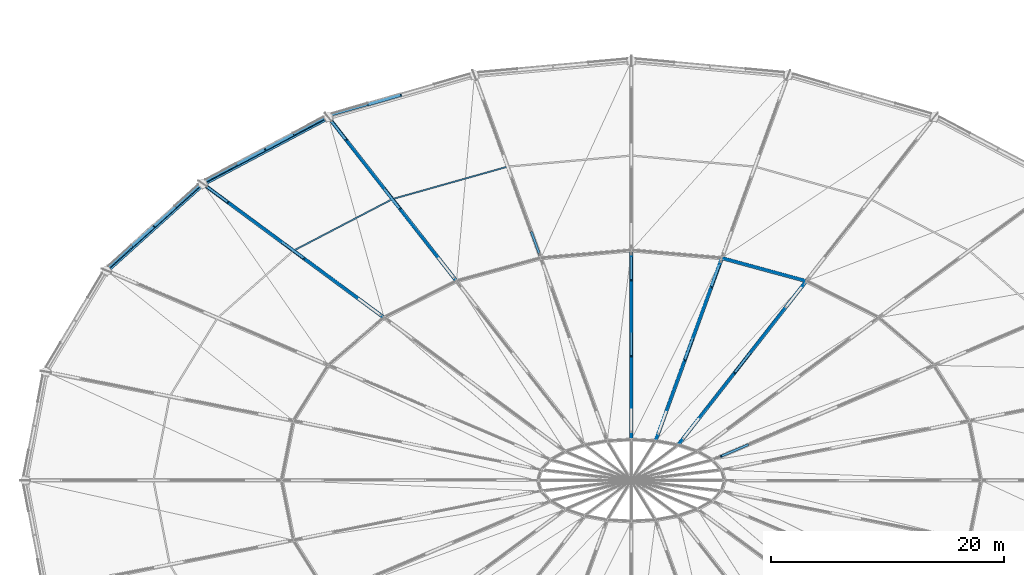
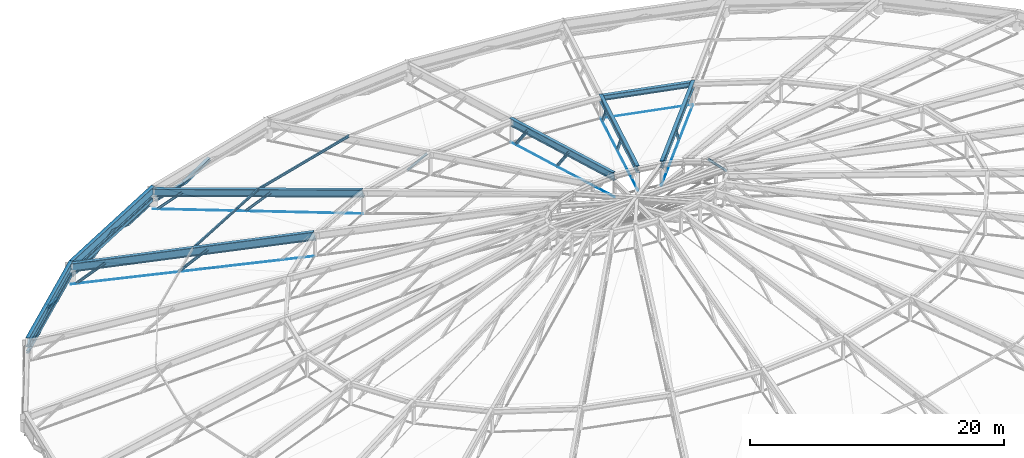
# One storey, part 19 of 83: 20 beams, 19 members.
"""IFC4 building model written with IfcOpenShell, lengths in metres."""

from ifc_helpers import new_model, si_unit, direction, frame, origin, origin_2d, place, context, subcontext, project, spatial, hollow_rectangle, circle, i_section, extrude, material, material_profile, profile_set, type_object, element, save


model = new_model("IFC4")

# Units and contexts
model_context = context("Model", 3, precision=1e-05, world=origin(), true_north=direction((0.0, 1.0)))
body_context = subcontext(model_context, "Body", "Model", "MODEL_VIEW")
ifc_project = project(units=[si_unit("LENGTHUNIT", "METRE"), si_unit("AREAUNIT", "SQUARE_METRE"), si_unit("VOLUMEUNIT", "CUBIC_METRE"), si_unit("PLANEANGLEUNIT", "RADIAN"), si_unit("MASSUNIT", "GRAM", prefix="KILO")], contexts=[model_context])

# Site, building, storey
site_placement = place(None, origin())
site = spatial("IfcSite", under=ifc_project, at=site_placement, CompositionType="ELEMENT")
building_placement = place(site_placement, origin())
building = spatial("IfcBuilding", under=site, at=building_placement, Name="Kivolera Central Railway Station", CompositionType="ELEMENT")
storey_placement = place(building_placement, frame((0.0, 0.0, 14.39990234375)))
storey = spatial("IfcBuildingStorey", under=building, at=storey_placement, Name="L03", CompositionType="ELEMENT", Elevation=14.39990234375)

# Beams
ifc_material_1 = material(Name="Steel S355", Category="steel")
ifc_material_profile_1 = material_profile(ifc_material_1, hollow_rectangle(XDim=0.14990234375, YDim=0.300048828125, WallThickness=0.012451171875, at=origin_2d()), Name="RHS 300x150x12.5")
ifc_profile_set_1 = profile_set([ifc_material_profile_1], Name="Steel S355")
beam_type_1 = type_object("IfcBeamType", Name="BM-ARCH-HOOD", PredefinedType="SPANDREL", material=ifc_profile_set_1)
beam_1_placement = place(storey_placement, frame((37.7548828125, 120.882080078125, 0.735107421875), z_axis=(-0.883122599964, -0.46914227419, 0.0), x_axis=(0.46914227419, -0.883122599964, 0.0)))
element("IfcBeam", 1, at=beam_1_placement, inside=storey, type_object=beam_type_1, Name="Lantern Spandrel Hood Beam 09", PredefinedType="SPANDREL", context=body_context, shape_type="SweptSolid", body=[
    extrude(hollow_rectangle(XDim=0.14990234375, YDim=0.300048828125, WallThickness=0.012451171875, at=origin_2d()), origin(), (0.0, 0.0, 1.0), 11.485107421875),
])
beam_2_placement = place(storey_placement, frame((27.06396484375, 115.111083984375, 0.735107421875), z_axis=(-0.742399938854, -0.669956961894, 0.0), x_axis=(0.669956961894, -0.742399938854, 0.0)))
element("IfcBeam", 2, at=beam_2_placement, inside=storey, type_object=beam_type_1, Name="Lantern Spandrel Hood Beam 10", PredefinedType="SPANDREL", context=body_context, shape_type="SweptSolid", body=[
    extrude(hollow_rectangle(XDim=0.14990234375, YDim=0.300048828125, WallThickness=0.012451171875, at=origin_2d()), origin(), (0.0, 0.0, 1.0), 10.42041015625),
])
ifc_material_profile_2 = material_profile(ifc_material_1, i_section(OverallWidth=0.300048828125, OverallDepth=0.60009765625, WebThickness=0.015380859375, FlangeThickness=0.030029296875, FilletRadius=0.027099609375, at=origin_2d()), Name="HEB 600")
ifc_profile_set_2 = profile_set([ifc_material_profile_2], Name="Steel S355")
beam_type_2 = type_object("IfcBeamType", Name="BM-DRB-HEB600", PredefinedType="BEAM", material=ifc_profile_set_2)
beam_3_placement = place(storey_placement, frame((79.0, 107.10400390625, 5.780029296875), z_axis=(-0.596374461748, -0.762979694126, 0.249398251249), x_axis=(0.787875774428, -0.61583420177, 0.0)))
element("IfcBeam", 3, at=beam_3_placement, inside=storey, type_object=beam_type_2, Name="Oval Dome Radial Arch Rib Mid Segment DRB2-05", PredefinedType="BEAM", context=body_context, shape_type="SweptSolid", body=[
    extrude(i_section(OverallWidth=0.300048828125, OverallDepth=0.60009765625, WebThickness=0.015380859375, FlangeThickness=0.030029296875, FilletRadius=0.027099609375, at=origin_2d()), origin(), (0.0, 0.0, 1.0), 18.44482421875),
])
beam_4_placement = place(storey_placement, frame((71.764892578125, 109.076904296875, 5.780029296875), z_axis=(-0.328767895106, -0.906289682546, 0.265613784391), x_axis=(0.940056982203, -0.341017404557, 0.0)))
element("IfcBeam", 4, at=beam_4_placement, inside=storey, type_object=beam_type_2, Name="Oval Dome Radial Arch Rib Mid Segment DRB2-06", PredefinedType="BEAM", context=body_context, shape_type="SweptSolid", body=[
    extrude(i_section(OverallWidth=0.300048828125, OverallDepth=0.60009765625, WebThickness=0.015380859375, FlangeThickness=0.030029296875, FilletRadius=0.027099609375, at=origin_2d()), origin(), (0.0, 0.0, 1.0), 17.31884765625),
])
ifc_material_profile_3 = material_profile(ifc_material_1, i_section(OverallWidth=0.300048828125, OverallDepth=0.699951171875, WebThickness=0.01708984375, FlangeThickness=0.031982421875, FilletRadius=0.027099609375, at=origin_2d()), Name="HEB 700")
ifc_profile_set_3 = profile_set([ifc_material_profile_3], Name="Steel S355")
beam_type_3 = type_object("IfcBeamType", Name="BM-DRB-HEB700", PredefinedType="BEAM", material=ifc_profile_set_3)
beam_5_placement = place(storey_placement, frame((64.0, 109.75, 5.780029296875), z_axis=(0.0, -0.962189891935, 0.272379536416), x_axis=(1.0, 0.0, 0.0)))
element("IfcBeam", 5, at=beam_5_placement, inside=storey, type_object=beam_type_3, Name="Oval Dome Radial Arch Rib Mid Segment DRB2-07", PredefinedType="BEAM", context=body_context, shape_type="SweptSolid", body=[
    extrude(i_section(OverallWidth=0.300048828125, OverallDepth=0.699951171875, WebThickness=0.01708984375, FlangeThickness=0.031982421875, FilletRadius=0.027099609375, at=origin_2d()), origin(), (0.0, 0.0, 1.0), 16.888671875),
])
beam_6_placement = place(storey_placement, frame((38.0, 121.177001953125, 1.18017578125), z_axis=(0.596376430402, -0.762982212751, 0.249385838184), x_axis=(0.787875774428, 0.61583420177, 0.0)))
element("IfcBeam", 6, at=beam_6_placement, inside=storey, type_object=beam_type_3, Name="Oval Dome Radial Arch Rib Outer Segment DRB1-09", PredefinedType="BEAM", context=body_context, shape_type="SweptSolid", body=[
    extrude(i_section(OverallWidth=0.300048828125, OverallDepth=0.699951171875, WebThickness=0.01708984375, FlangeThickness=0.031982421875, FilletRadius=0.027099609375, at=origin_2d()), origin(), (0.0, 0.0, 1.0), 18.44482421875),
])
ifc_material_profile_4 = material_profile(ifc_material_1, i_section(OverallWidth=0.300048828125, OverallDepth=0.800048828125, WebThickness=0.017578125, FlangeThickness=0.032958984375, FilletRadius=0.030029296875, at=origin_2d()), Name="HEB 800")
ifc_profile_set_4 = profile_set([ifc_material_profile_4], Name="Steel S355")
beam_type_4 = type_object("IfcBeamType", Name="BM-DRB-HEB800", PredefinedType="BEAM", material=ifc_profile_set_4)
beam_7_placement = place(storey_placement, frame((27.22998046875, 115.4560546875, 1.18017578125), z_axis=(0.782541033898, -0.578008518918, 0.231377791338), x_axis=(0.594130867833, 0.804368393143, 0.0)))
element("IfcBeam", 7, at=beam_7_placement, inside=storey, type_object=beam_type_4, Name="Oval Dome Radial Arch Rib Outer Segment DRB1-10", PredefinedType="BEAM", context=body_context, shape_type="SweptSolid", body=[
    extrude(i_section(OverallWidth=0.300048828125, OverallDepth=0.800048828125, WebThickness=0.017578125, FlangeThickness=0.032958984375, FilletRadius=0.030029296875, at=origin_2d()), origin(), (0.0, 0.0, 1.0), 19.88037109375),
])
ifc_material_profile_5 = material_profile(ifc_material_1, i_section(OverallWidth=0.300048828125, OverallDepth=0.5, WebThickness=0.014404296875, FlangeThickness=0.028076171875, FilletRadius=0.027099609375, at=origin_2d()), Name="HEB 500")
ifc_profile_set_5 = profile_set([ifc_material_profile_5], Name="Steel S355")
beam_type_5 = type_object("IfcBeamType", Name="BM-HRG-HEB500", PredefinedType="BEAM", material=ifc_profile_set_5)
beam_8_placement = place(storey_placement, frame((79.0, 107.10400390625, 5.780029296875), z_axis=(-0.964774338312, 0.263078840152, 0.0), x_axis=(-0.263078840152, -0.964774338312, 0.0)))
element("IfcBeam", 8, at=beam_8_placement, inside=storey, type_object=beam_type_5, Name="Oval Dome Outer Hoop Ring Beam HRG1-05", PredefinedType="BEAM", context=body_context, shape_type="SweptSolid", body=[
    extrude(i_section(OverallWidth=0.300048828125, OverallDepth=0.5, WebThickness=0.014404296875, FlangeThickness=0.028076171875, FilletRadius=0.027099609375, at=origin_2d()), origin(), (0.0, 0.0, 1.0), 7.499267578125),
])
ifc_material_profile_6 = material_profile(ifc_material_1, i_section(OverallWidth=0.300048828125, OverallDepth=0.300048828125, WebThickness=0.010986328125, FlangeThickness=0.01904296875, FilletRadius=0.027099609375, at=origin_2d()), Name="HEB 300")
ifc_profile_set_6 = profile_set([ifc_material_profile_6], Name="Steel S355")
beam_type_6 = type_object("IfcBeamType", Name="BM-LANT-ARCH", PredefinedType="SPANDREL", material=ifc_profile_set_6)
beam_9_placement = place(storey_placement, frame((44.237060546875, 123.090087890625, 1.06005859375), z_axis=(-0.919706547271, -0.263753880718, -0.290815675838), x_axis=(0.275668522884, -0.961252758379, 0.0)))
element("IfcBeam", 9, at=beam_9_placement, inside=storey, type_object=beam_type_6, Name="Oval Lantern Structural Arch Rib 08.4", PredefinedType="SPANDREL", context=body_context, shape_type="SweptSolid", body=[
    extrude(i_section(OverallWidth=0.300048828125, OverallDepth=0.300048828125, WebThickness=0.010986328125, FlangeThickness=0.01904296875, FilletRadius=0.027099609375, at=origin_2d()), origin(), (0.0, 0.0, 1.0), 3.094482421875),
])
beam_10_placement = place(storey_placement, frame((34.992919921875, 119.716064453125, 0.16015625), z_axis=(-0.839369949803, -0.44624944668, 0.310353860465), x_axis=(0.469429350258, -0.882970036364, 0.0)))
element("IfcBeam", 10, at=beam_10_placement, inside=storey, type_object=beam_type_6, Name="Oval Lantern Structural Arch Rib 09.3", PredefinedType="SPANDREL", context=body_context, shape_type="SweptSolid", body=[
    extrude(i_section(OverallWidth=0.300048828125, OverallDepth=0.300048828125, WebThickness=0.010986328125, FlangeThickness=0.01904296875, FilletRadius=0.027099609375, at=origin_2d()), origin(), (0.0, 0.0, 1.0), 2.899658203125),
])
beam_11_placement = place(storey_placement, frame((32.55908203125, 118.422119140625, 1.06005859375), z_axis=(-0.839588818924, -0.44588951011, -0.310279164483), x_axis=(0.469038686522, -0.883177621176, 0.0)))
element("IfcBeam", 11, at=beam_11_placement, inside=storey, type_object=beam_type_6, Name="Oval Lantern Structural Arch Rib 09.4", PredefinedType="SPANDREL", context=body_context, shape_type="SweptSolid", body=[
    extrude(i_section(OverallWidth=0.300048828125, OverallDepth=0.300048828125, WebThickness=0.010986328125, FlangeThickness=0.01904296875, FilletRadius=0.027099609375, at=origin_2d()), origin(), (0.0, 0.0, 1.0), 2.900390625),
])
for number, where, z_axis, x_axis, name in (
    (12, (24.875, 113.491943359375, 0.16015625), (-0.698677422423, -0.630242676209, 0.338591241001), (0.669805712586, -0.742536401389, 0.0), "Oval Lantern Structural Arch Rib 10.3"),
    (13, (23.01806640625, 111.81689453125, 1.06005859375), (-0.698764882595, -0.630146850874, -0.338589109668), (0.669703326013, -0.742628746499, 0.0), "Oval Lantern Structural Arch Rib 10.4"),
):
    element("IfcBeam", number, at=place(storey_placement, frame(where, z_axis=z_axis, x_axis=x_axis)), inside=storey, type_object=beam_type_6, Name=name, PredefinedType="SPANDREL", context=body_context, shape_type="SweptSolid", body=[
        extrude(i_section(OverallWidth=0.300048828125, OverallDepth=0.300048828125, WebThickness=0.010986328125, FlangeThickness=0.01904296875, FilletRadius=0.027099609375, at=origin_2d()), origin(), (0.0, 0.0, 1.0), 2.65771484375),
    ])
ifc_material_profile_7 = material_profile(ifc_material_1, i_section(OverallWidth=0.239990234375, OverallDepth=0.22998046875, WebThickness=0.007568359375, FlangeThickness=0.011962890625, FilletRadius=0.02099609375, at=origin_2d()), Name="HEA 240")
ifc_profile_set_7 = profile_set([ifc_material_profile_7], Name="Steel S355")
beam_type_7 = type_object("IfcBeamType", Name="BM-LANT-HTIE", PredefinedType="SPANDREL", material=ifc_profile_set_7)
beam_12_placement = place(storey_placement, frame((41.39111328125, 122.27392578125, 0.16015625), z_axis=(-0.961262114071, -0.275635897612, 0.0), x_axis=(0.275635897612, -0.961262114071, 0.0)))
element("IfcBeam", 14, at=beam_12_placement, inside=storey, type_object=beam_type_7, Name="Lantern Arch Spandrel Haunch Tie 08R", PredefinedType="SPANDREL", context=body_context, shape_type="SweptSolid", body=[
    extrude(i_section(OverallWidth=0.239990234375, OverallDepth=0.22998046875, WebThickness=0.007568359375, FlangeThickness=0.011962890625, FilletRadius=0.02099609375, at=origin_2d()), origin(), (0.0, 0.0, 1.0), 3.207275390625),
])
for number, where, z_axis, x_axis, name in (
    (15, (37.6298828125, 121.115966796875, 0.16015625), (-0.883252264421, -0.468898109822, 0.0), (0.468898109822, -0.883252264421, 0.0), "Lantern Arch Spandrel Haunch Tie 09L"),
    (16, (30.1240234375, 117.12890625, 0.16015625), (-0.883252264421, -0.468898109822, 0.0), (0.468898109822, -0.883252264421, 0.0), "Lantern Arch Spandrel Haunch Tie 09R"),
):
    element("IfcBeam", number, at=place(storey_placement, frame(where, z_axis=z_axis, x_axis=x_axis)), inside=storey, type_object=beam_type_7, Name=name, PredefinedType="SPANDREL", context=body_context, shape_type="SweptSolid", body=[
        extrude(i_section(OverallWidth=0.239990234375, OverallDepth=0.22998046875, WebThickness=0.007568359375, FlangeThickness=0.011962890625, FilletRadius=0.02099609375, at=origin_2d()), origin(), (0.0, 0.0, 1.0), 2.985595703125),
    ])
for number, where, z_axis, x_axis, name in (
    (17, (26.885986328125, 115.306884765625, 0.16015625), (-0.742365783712, -0.669994808318, 0.0), (0.669994808318, -0.742365783712, 0.0), "Lantern Arch Spandrel Haunch Tie 10L"),
    (18, (21.160888671875, 110.14208984375, 0.16015625), (-0.742320957903, -0.670044472746, 0.0), (0.670044472746, -0.742320957903, 0.0), "Lantern Arch Spandrel Haunch Tie 10R"),
):
    element("IfcBeam", number, at=place(storey_placement, frame(where, z_axis=z_axis, x_axis=x_axis)), inside=storey, type_object=beam_type_7, Name=name, PredefinedType="SPANDREL", context=body_context, shape_type="SweptSolid", body=[
        extrude(i_section(OverallWidth=0.239990234375, OverallDepth=0.22998046875, WebThickness=0.007568359375, FlangeThickness=0.011962890625, FilletRadius=0.02099609375, at=origin_2d()), origin(), (0.0, 0.0, 1.0), 2.708984375),
    ])
ifc_material_profile_8 = material_profile(ifc_material_1, i_section(OverallWidth=0.300048828125, OverallDepth=0.89990234375, WebThickness=0.0185546875, FlangeThickness=0.034912109375, FilletRadius=0.030029296875, at=origin_2d()), Name="HEB 900")
ifc_profile_set_8 = profile_set([ifc_material_profile_8], Name="Steel S355")
beam_type_8 = type_object("IfcBeamType", Name="BM-ORB-HEB900", PredefinedType="BEAM", material=ifc_profile_set_8)
beam_13_placement = place(storey_placement, frame((38.0, 121.177001953125, 1.35009765625), z_axis=(-0.883136972992, -0.469115217122, 0.0), x_axis=(0.469115217122, -0.883136972992, 0.0)))
element("IfcBeam", 19, at=beam_13_placement, inside=storey, type_object=beam_type_8, Name="Oval Dome Compression Ring Beam ORB-09", PredefinedType="BEAM", context=body_context, shape_type="SweptSolid", body=[
    extrude(i_section(OverallWidth=0.300048828125, OverallDepth=0.89990234375, WebThickness=0.0185546875, FlangeThickness=0.034912109375, FilletRadius=0.030029296875, at=origin_2d()), origin(), (0.0, 0.0, 1.0), 12.195068359375),
])
beam_14_placement = place(storey_placement, frame((27.22998046875, 115.4560546875, 1.35009765625), z_axis=(-0.74242638035, -0.669927660095, 0.0), x_axis=(0.669927660095, -0.74242638035, 0.0)))
element("IfcBeam", 20, at=beam_14_placement, inside=storey, type_object=beam_type_8, Name="Oval Dome Compression Ring Beam ORB-10", PredefinedType="BEAM", context=body_context, shape_type="SweptSolid", body=[
    extrude(i_section(OverallWidth=0.300048828125, OverallDepth=0.89990234375, WebThickness=0.0185546875, FlangeThickness=0.034912109375, FilletRadius=0.030029296875, at=origin_2d()), origin(), (0.0, 0.0, 1.0), 11.129638671875),
])

# Members
ifc_material_2 = material(Name="Spiral strand steel S460", Category="steel")
ifc_material_profile_9 = material_profile(ifc_material_2, circle(Radius=0.02392578125, at=origin_2d()), Name="CABLE D48")
ifc_profile_set_9 = profile_set([ifc_material_profile_9], Name="Spiral strand steel S460")
member_type_1 = type_object("IfcMemberType", Name="MEM-CABLE-D48", PredefinedType="USERDEFINED", material=ifc_profile_set_9)
member_1_placement = place(storey_placement, frame((79.0, 107.10400390625, 3.780029296875), z_axis=(-0.964774338312, 0.263078840152, 0.0), x_axis=(-0.263078840152, -0.964774338312, 0.0)))
element("IfcMember", 21, at=member_1_placement, inside=storey, type_object=member_type_1, Name="Dome Hoop Tension Cable HC1-05", ObjectType="TENSION_CABLE", PredefinedType="USERDEFINED", context=body_context, shape_type="SweptSolid", body=[
    extrude(circle(Radius=0.02392578125, at=origin_2d()), origin(), (0.0, 0.0, 1.0), 7.499267578125),
])
ifc_material_profile_10 = material_profile(ifc_material_2, circle(Radius=0.031982421875, at=origin_2d()), Name="CABLE D64")
ifc_profile_set_10 = profile_set([ifc_material_profile_10], Name="Spiral strand steel S460")
member_type_2 = type_object("IfcMemberType", Name="MEM-CABLE-D64", PredefinedType="USERDEFINED", material=ifc_profile_set_10)
member_2_placement = place(storey_placement, frame((79.0, 107.10400390625, 3.780029296875), z_axis=(-0.596374461748, -0.762979694126, 0.249398251249), x_axis=(0.787875774428, -0.61583420177, 0.0)))
element("IfcMember", 22, at=member_2_placement, inside=storey, type_object=member_type_2, Name="Dome Inner Radial Tension Cable RC2-05", ObjectType="TENSION_CABLE", PredefinedType="USERDEFINED", context=body_context, shape_type="SweptSolid", body=[
    extrude(circle(Radius=0.031982421875, at=origin_2d()), origin(), (0.0, 0.0, 1.0), 18.44482421875),
])
member_3_placement = place(storey_placement, frame((71.764892578125, 109.076904296875, 3.780029296875), z_axis=(-0.328767895106, -0.906289682546, 0.265613784391), x_axis=(0.940056982203, -0.341017404557, 0.0)))
element("IfcMember", 23, at=member_3_placement, inside=storey, type_object=member_type_2, Name="Dome Inner Radial Tension Cable RC2-06", ObjectType="TENSION_CABLE", PredefinedType="USERDEFINED", context=body_context, shape_type="SweptSolid", body=[
    extrude(circle(Radius=0.031982421875, at=origin_2d()), origin(), (0.0, 0.0, 1.0), 17.31884765625),
])
member_4_placement = place(storey_placement, frame((64.0, 109.75, 3.780029296875), z_axis=(0.0, -0.962189891935, 0.272379536416), x_axis=(1.0, 0.0, 0.0)))
element("IfcMember", 24, at=member_4_placement, inside=storey, type_object=member_type_2, Name="Dome Inner Radial Tension Cable RC2-07", ObjectType="TENSION_CABLE", PredefinedType="USERDEFINED", context=body_context, shape_type="SweptSolid", body=[
    extrude(circle(Radius=0.031982421875, at=origin_2d()), origin(), (0.0, 0.0, 1.0), 16.888671875),
])
member_5_placement = place(storey_placement, frame((38.0, 121.177001953125, -0.449951171875), z_axis=(0.599259744519, -0.766671019472, 0.23044154682), x_axis=(0.787875774428, 0.61583420177, 0.0)))
element("IfcMember", 25, at=member_5_placement, inside=storey, type_object=member_type_2, Name="Dome Radial Spiral-Strand Tension Cable RC1-09", ObjectType="TENSION_CABLE", PredefinedType="USERDEFINED", context=body_context, shape_type="SweptSolid", body=[
    extrude(circle(Radius=0.031982421875, at=origin_2d()), origin(), (0.0, 0.0, 1.0), 18.35595703125),
])
member_6_placement = place(storey_placement, frame((27.22998046875, 115.4560546875, -0.449951171875), z_axis=(0.785794449216, -0.580411590051, 0.213657365229), x_axis=(0.594130867833, 0.804368393143, 0.0)))
element("IfcMember", 26, at=member_6_placement, inside=storey, type_object=member_type_2, Name="Dome Radial Spiral-Strand Tension Cable RC1-10", ObjectType="TENSION_CABLE", PredefinedType="USERDEFINED", context=body_context, shape_type="SweptSolid", body=[
    extrude(circle(Radius=0.031982421875, at=origin_2d()), origin(), (0.0, 0.0, 1.0), 19.7978515625),
])
ifc_material_profile_11 = material_profile(ifc_material_1, i_section(OverallWidth=0.1201171875, OverallDepth=0.239990234375, WebThickness=0.006103515625, FlangeThickness=0.009765625, FilletRadius=0.014892578125, at=origin_2d()), Name="IPE 240")
ifc_profile_set_11 = profile_set([ifc_material_profile_11], Name="Steel S355")
member_type_3 = type_object("IfcMemberType", Name="MEM-PUR-IPE240", PredefinedType="PURLIN", material=ifc_profile_set_11)
member_7_placement = place(storey_placement, frame((53.387939453125, 116.925048828125, 3.775146484375), z_axis=(-0.962575989737, -0.271011925902, 0.0), x_axis=(0.271011925902, -0.962575989737, 0.0)))
element("IfcMember", 27, at=member_7_placement, inside=storey, type_object=member_type_3, Name="Dome Outer Hoop Purlin DPUR1-08", PredefinedType="PURLIN", context=body_context, shape_type="SweptSolid", body=[
    extrude(i_section(OverallWidth=0.1201171875, OverallDepth=0.239990234375, WebThickness=0.006103515625, FlangeThickness=0.009765625, FilletRadius=0.014892578125, at=origin_2d()), origin(), (0.0, 0.0, 1.0), 10.2724609375),
])
member_8_placement = place(storey_placement, frame((43.5, 114.14111328125, 3.775146484375), z_axis=(-0.886560303413, -0.462613043928, 0.0), x_axis=(0.462613043928, -0.886560303413, 0.0)))
element("IfcMember", 28, at=member_8_placement, inside=storey, type_object=member_type_3, Name="Dome Outer Hoop Purlin DPUR1-09", PredefinedType="PURLIN", context=body_context, shape_type="SweptSolid", body=[
    extrude(i_section(OverallWidth=0.1201171875, OverallDepth=0.239990234375, WebThickness=0.006103515625, FlangeThickness=0.009765625, FilletRadius=0.014892578125, at=origin_2d()), origin(), (0.0, 0.0, 1.0), 9.57861328125),
])
ifc_material_profile_12 = material_profile(ifc_material_1, i_section(OverallWidth=0.199951171875, OverallDepth=0.199951171875, WebThickness=0.009033203125, FlangeThickness=0.014892578125, FilletRadius=0.01806640625, at=origin_2d()), Name="HEB 200")
ifc_profile_set_12 = profile_set([ifc_material_profile_12], Name="Steel S355")
member_type_4 = type_object("IfcMemberType", Name="MEM-RAF-HEB200", PredefinedType="RAFTER", material=ifc_profile_set_12)
member_9_placement = place(storey_placement, frame((73.97607421875, 93.050048828125, 7.64404296875), z_axis=(-0.641758749777, -0.273727514589, 0.716393017025), x_axis=(0.392330096129, -0.919824491776, 0.0)))
element("IfcMember", 29, at=member_9_placement, inside=storey, type_object=member_type_4, Name="Dome Inner Truss Raking Web DWEB2-03.3", PredefinedType="RAFTER", context=body_context, shape_type="SweptSolid", body=[
    extrude(i_section(OverallWidth=0.199951171875, OverallDepth=0.199951171875, WebThickness=0.009033203125, FlangeThickness=0.014892578125, FilletRadius=0.01806640625, at=origin_2d()), origin(), (0.0, 0.0, 1.0), 3.562255859375),
])
member_10_placement = place(storey_placement, frame((74.159912109375, 100.912109375, 5.80419921875), z_axis=(-0.396001338606, -0.506831901927, 0.765705141038), x_axis=(0.787995020105, -0.61568161276, 0.0)))
element("IfcMember", 30, at=member_10_placement, inside=storey, type_object=member_type_4, Name="Dome Inner Truss Raking Web DWEB2-05.2", PredefinedType="RAFTER", context=body_context, shape_type="SweptSolid", body=[
    extrude(i_section(OverallWidth=0.199951171875, OverallDepth=0.199951171875, WebThickness=0.009033203125, FlangeThickness=0.014892578125, FilletRadius=0.01806640625, at=origin_2d()), origin(), (0.0, 0.0, 1.0), 3.332763671875),
])
member_11_placement = place(storey_placement, frame((71.537109375, 108.448974609375, 3.964111328125), z_axis=(-0.210557911999, -0.580426438616, 0.786619676242), x_axis=(0.940056475347, -0.341018801766, 0.0)))
element("IfcMember", 31, at=member_11_placement, inside=storey, type_object=member_type_4, Name="Dome Inner Truss Raking Web DWEB2-06.1", PredefinedType="RAFTER", context=body_context, shape_type="SweptSolid", body=[
    extrude(i_section(OverallWidth=0.199951171875, OverallDepth=0.199951171875, WebThickness=0.009033203125, FlangeThickness=0.014892578125, FilletRadius=0.01806640625, at=origin_2d()), origin(), (0.0, 0.0, 1.0), 3.244384765625),
])
member_12_placement = place(storey_placement, frame((69.260009765625, 102.1708984375, 5.80419921875), z_axis=(-0.210817926506, -0.580539300827, 0.786466732964), x_axis=(0.939942715571, -0.341332230305, 0.0)))
element("IfcMember", 32, at=member_12_placement, inside=storey, type_object=member_type_4, Name="Dome Inner Truss Raking Web DWEB2-06.2", PredefinedType="RAFTER", context=body_context, shape_type="SweptSolid", body=[
    extrude(i_section(OverallWidth=0.199951171875, OverallDepth=0.199951171875, WebThickness=0.009033203125, FlangeThickness=0.014892578125, FilletRadius=0.01806640625, at=origin_2d()), origin(), (0.0, 0.0, 1.0), 3.244873046875),
])
for number, where, z_axis, x_axis, name in (
    (33, (64.0, 109.10009765625, 3.964111328125), (0.0, -0.607187682009, 0.794558442669), (1.0, 0.0, 0.0), "Dome Inner Truss Raking Web DWEB2-07.1"),
    (34, (64.0, 102.60009765625, 5.80419921875), (0.0, -0.607187682009, 0.794558442669), (1.0, 0.0, 0.0), "Dome Inner Truss Raking Web DWEB2-07.2"),
):
    element("IfcMember", number, at=place(storey_placement, frame(where, z_axis=z_axis, x_axis=x_axis)), inside=storey, type_object=member_type_4, Name=name, PredefinedType="RAFTER", context=body_context, shape_type="SweptSolid", body=[
        extrude(i_section(OverallWidth=0.199951171875, OverallDepth=0.199951171875, WebThickness=0.009033203125, FlangeThickness=0.014892578125, FilletRadius=0.01806640625, at=origin_2d()), origin(), (0.0, 0.0, 1.0), 3.2119140625),
    ])
member_13_placement = place(storey_placement, frame((55.43798828125, 111.27392578125, 3.18798828125), z_axis=(0.213245503761, -0.587758872409, 0.780426718552), x_axis=(0.940042299079, 0.3410578777, 0.0)))
element("IfcMember", 35, at=member_13_placement, inside=storey, type_object=member_type_4, Name="Dome Radial Truss Raking Web DWEB1-08.3", PredefinedType="RAFTER", context=body_context, shape_type="SweptSolid", body=[
    extrude(i_section(OverallWidth=0.199951171875, OverallDepth=0.199951171875, WebThickness=0.009033203125, FlangeThickness=0.014892578125, FilletRadius=0.01806640625, at=origin_2d()), origin(), (0.0, 0.0, 1.0), 3.203369140625),
])
member_14_placement = place(storey_placement, frame((38.219970703125, 120.89599609375, -0.364990234375), z_axis=(0.43083807308, -0.551236876192, 0.71450434646), x_axis=(0.787896583564, 0.615807578394, 0.0)))
element("IfcMember", 36, at=member_14_placement, inside=storey, type_object=member_type_4, Name="Dome Radial Truss Raking Web DWEB1-09.1", PredefinedType="RAFTER", context=body_context, shape_type="SweptSolid", body=[
    extrude(i_section(OverallWidth=0.199951171875, OverallDepth=0.199951171875, WebThickness=0.009033203125, FlangeThickness=0.014892578125, FilletRadius=0.01806640625, at=origin_2d()), origin(), (0.0, 0.0, 1.0), 3.06396484375),
])
member_15_placement = place(storey_placement, frame((42.840087890625, 114.985107421875, 1.4111328125), z_axis=(0.415412014592, -0.531675125594, 0.7380748058), x_axis=(0.787995020105, 0.61568161276, 0.0)))
element("IfcMember", 37, at=member_15_placement, inside=storey, type_object=member_type_4, Name="Dome Radial Truss Raking Web DWEB1-09.2", PredefinedType="RAFTER", context=body_context, shape_type="SweptSolid", body=[
    extrude(i_section(OverallWidth=0.199951171875, OverallDepth=0.199951171875, WebThickness=0.009033203125, FlangeThickness=0.014892578125, FilletRadius=0.01806640625, at=origin_2d()), origin(), (0.0, 0.0, 1.0), 3.17724609375),
])
member_16_placement = place(storey_placement, frame((27.541015625, 115.22607421875, -0.364990234375), z_axis=(0.585131720573, -0.432249129007, 0.686135234521), x_axis=(0.594178102773, 0.804333501842, 0.0)))
element("IfcMember", 38, at=member_16_placement, inside=storey, type_object=member_type_4, Name="Dome Radial Truss Raking Web DWEB1-10.1", PredefinedType="RAFTER", context=body_context, shape_type="SweptSolid", body=[
    extrude(i_section(OverallWidth=0.199951171875, OverallDepth=0.199951171875, WebThickness=0.009033203125, FlangeThickness=0.014892578125, FilletRadius=0.01806640625, at=origin_2d()), origin(), (0.0, 0.0, 1.0), 3.190673828125),
])
member_17_placement = place(storey_placement, frame((34.074951171875, 110.39990234375, 1.4111328125), z_axis=(0.56585090259, -0.417931986116, 0.710735964349), x_axis=(0.594110048077, 0.80438377083, 0.0)))
element("IfcMember", 39, at=member_17_placement, inside=storey, type_object=member_type_4, Name="Dome Radial Truss Raking Web DWEB1-10.2", PredefinedType="RAFTER", context=body_context, shape_type="SweptSolid", body=[
    extrude(i_section(OverallWidth=0.199951171875, OverallDepth=0.199951171875, WebThickness=0.009033203125, FlangeThickness=0.014892578125, FilletRadius=0.01806640625, at=origin_2d()), origin(), (0.0, 0.0, 1.0), 3.29931640625),
])

save(model, "model.ifc")
